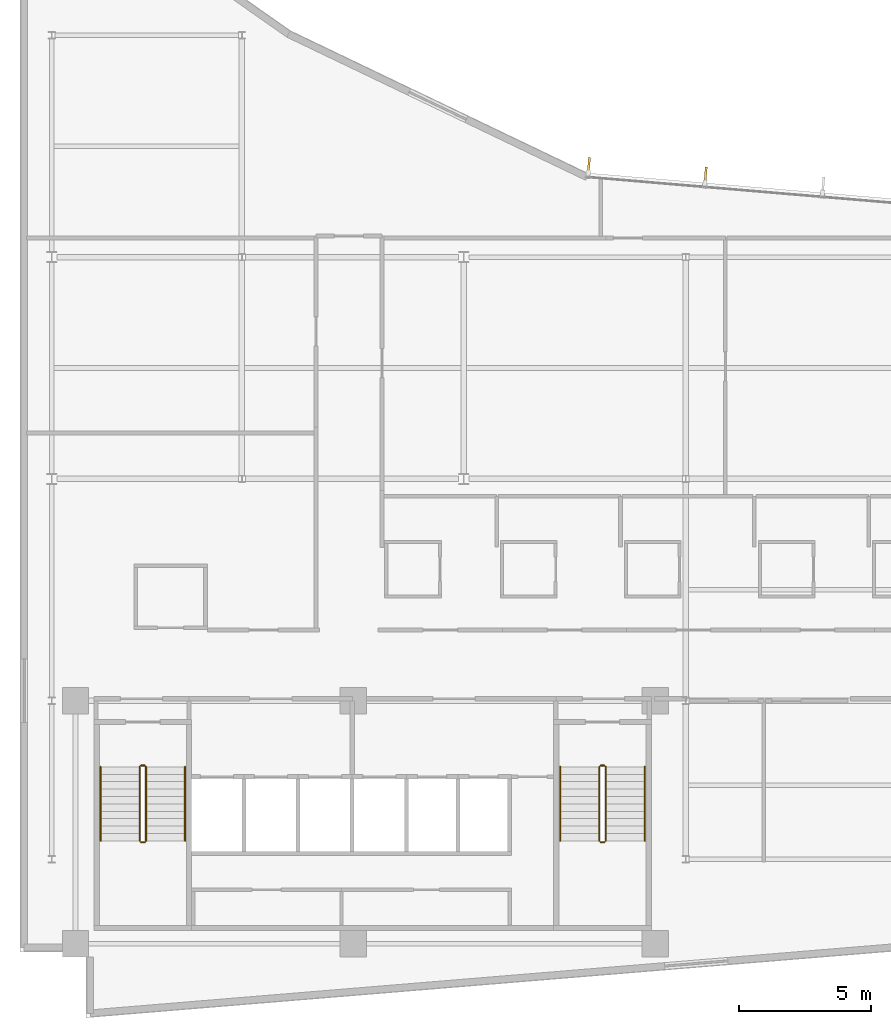
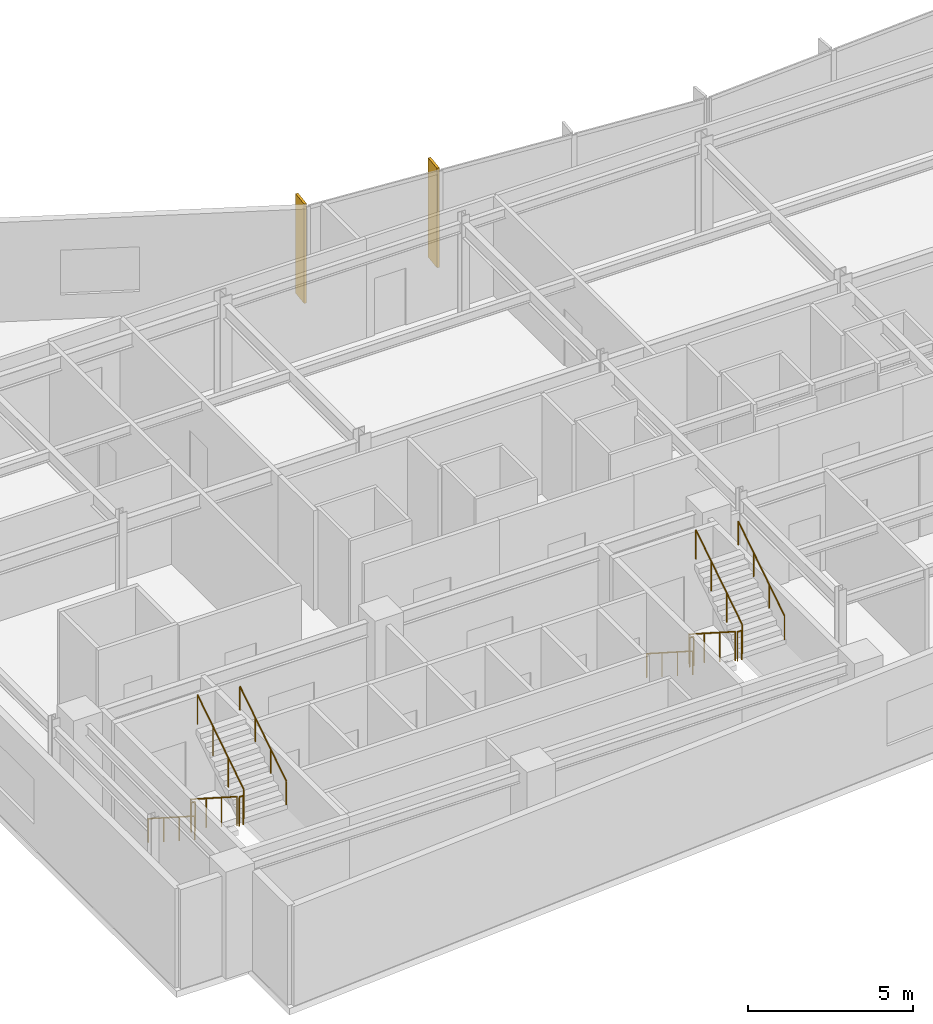
# One storey, part 13 of 15: 12 railings, 2 shading devices.
"""IFC4 building model written with IfcOpenShell, lengths in metres."""

from ifc_helpers import new_model, si_unit, direction, frame, origin, origin_2d, place, context, subcontext, project, spatial, rectangle, circle, extrude, material, layer, layer_set, type_object, element, save


model = new_model("IFC4")

# Units and contexts
model_context = context("Model", 3, precision=1e-05, world=origin(), true_north=direction((0.0, 1.0)))
body_context = subcontext(model_context, "Body", "Model", "MODEL_VIEW")
ifc_project = project(units=[si_unit("LENGTHUNIT", "METRE"), si_unit("AREAUNIT", "SQUARE_METRE"), si_unit("VOLUMEUNIT", "CUBIC_METRE"), si_unit("PLANEANGLEUNIT", "RADIAN"), si_unit("MASSUNIT", "GRAM", prefix="KILO")], contexts=[model_context])

# Site, building, storey
site_placement = place(None, origin())
site = spatial("IfcSite", under=ifc_project, at=site_placement, CompositionType="ELEMENT")
building_placement = place(site_placement, origin())
building = spatial("IfcBuilding", under=site, at=building_placement, Name="Varnakote Quay Hospital", CompositionType="ELEMENT")
storey_placement = place(building_placement, frame((0.0, 0.0, 231.60009765625)))
storey = spatial("IfcBuildingStorey", under=building, at=storey_placement, Name="L57", CompositionType="ELEMENT", Elevation=231.60009765625)

# Railings
ifc_material_1 = material(Name="Brushed stainless steel balustrade", Category="steel")
railing_type_1 = type_object("IfcRailingType", Name="RLG-STAIR-GUARD-1150", PredefinedType="GUARDRAIL", material=ifc_material_1)
railing_1_placement = place(storey_placement, frame((4.530029296875, 9.5, 0.179443359375)))
element("IfcRailing", 1, at=railing_1_placement, inside=storey, type_object=railing_type_1, Name="L57 ST-01 stair guard 1", PredefinedType="GUARDRAIL", context=body_context, shape_type="SweptSolid", body=[
    extrude(circle(Radius=0.02392578125, at=origin_2d()), frame((0.0, 0.0, 1.076171875), z_axis=(0.0, -0.841809871826, 0.539774156196), x_axis=(1.0, 0.0, 0.0)), (0.0, 0.0, 1.0), 3.326171875),
    extrude(circle(Radius=0.02099609375, at=origin_2d()), origin(), (0.0, 0.0, 1.0), 1.052001953125),
    extrude(circle(Radius=0.02099609375, at=origin_2d()), frame((0.0, -0.933349609375, 0.598388671875)), (0.0, 0.0, 1.0), 1.052001953125),
    extrude(circle(Radius=0.02099609375, at=origin_2d()), frame((0.0, -1.86669921875, 1.197021484375)), (0.0, 0.0, 1.0), 1.052001953125),
    extrude(circle(Radius=0.02099609375, at=origin_2d()), frame((0.0, -2.800048828125, 1.79541015625)), (0.0, 0.0, 1.0), 1.052001953125),
])
railing_2_placement = place(storey_placement, frame((4.580078125, 6.64990234375, 1.974853515625)))
element("IfcRailing", 2, at=railing_2_placement, inside=storey, type_object=railing_type_1, Name="L57 ST-01 stair guard 2", PredefinedType="GUARDRAIL", context=body_context, shape_type="SweptSolid", body=[
    extrude(circle(Radius=0.02392578125, at=origin_2d()), frame((0.0, 0.0, 1.076171875), z_axis=(1.0, 0.0, 0.0), x_axis=(0.0, 1.0, 0.0)), (0.0, 0.0, 1.0), 0.139892578125),
    extrude(circle(Radius=0.02099609375, at=origin_2d()), origin(), (0.0, 0.0, 1.0), 1.052001953125),
    extrude(circle(Radius=0.02099609375, at=origin_2d()), frame((0.139892578125, 0.0, 0.0)), (0.0, 0.0, 1.0), 1.052001953125),
])
railing_3_placement = place(storey_placement, frame((4.77001953125, 6.699951171875, 2.154541015625)))
element("IfcRailing", 3, at=railing_3_placement, inside=storey, type_object=railing_type_1, Name="L57 ST-01 stair guard 3", PredefinedType="GUARDRAIL", context=body_context, shape_type="SweptSolid", body=[
    extrude(circle(Radius=0.02392578125, at=origin_2d()), frame((0.0, 0.0, 1.076171875), z_axis=(0.0, 0.841809871826, 0.539774156196), x_axis=(-1.0, 0.0, 0.0)), (0.0, 0.0, 1.0), 3.326171875),
    extrude(circle(Radius=0.02099609375, at=origin_2d()), origin(), (0.0, 0.0, 1.0), 1.052001953125),
    extrude(circle(Radius=0.02099609375, at=origin_2d()), frame((0.0, 0.933349609375, 0.598388671875)), (0.0, 0.0, 1.0), 1.052001953125),
    extrude(circle(Radius=0.02099609375, at=origin_2d()), frame((0.0, 1.86669921875, 1.197021484375)), (0.0, 0.0, 1.0), 1.052001953125),
    extrude(circle(Radius=0.02099609375, at=origin_2d()), frame((0.0, 2.800048828125, 1.79541015625)), (0.0, 0.0, 1.0), 1.052001953125),
])
railing_4_placement = place(storey_placement, frame((4.580078125, 9.550048828125, 0.0)))
element("IfcRailing", 4, at=railing_4_placement, inside=storey, type_object=railing_type_1, Name="L57 ST-01 stair guard 4", PredefinedType="GUARDRAIL", context=body_context, shape_type="SweptSolid", body=[
    extrude(circle(Radius=0.02392578125, at=origin_2d()), frame((0.0, 0.0, 1.076171875), z_axis=(1.0, 0.0, 0.0), x_axis=(0.0, 1.0, 0.0)), (0.0, 0.0, 1.0), 0.139892578125),
    extrude(circle(Radius=0.02099609375, at=origin_2d()), origin(), (0.0, 0.0, 1.0), 1.052001953125),
    extrude(circle(Radius=0.02099609375, at=origin_2d()), frame((0.139892578125, 0.0, 0.0)), (0.0, 0.0, 1.0), 1.052001953125),
])
railing_5_placement = place(storey_placement, frame((21.929931640625, 9.5, 0.179443359375)))
element("IfcRailing", 5, at=railing_5_placement, inside=storey, type_object=railing_type_1, Name="L57 ST-02 stair guard 1", PredefinedType="GUARDRAIL", context=body_context, shape_type="SweptSolid", body=[
    extrude(circle(Radius=0.02392578125, at=origin_2d()), frame((0.0, 0.0, 1.076171875), z_axis=(0.0, -0.841809871826, 0.539774156196), x_axis=(1.0, 0.0, 0.0)), (0.0, 0.0, 1.0), 3.326171875),
    extrude(circle(Radius=0.02099609375, at=origin_2d()), origin(), (0.0, 0.0, 1.0), 1.052001953125),
    extrude(circle(Radius=0.02099609375, at=origin_2d()), frame((0.0, -0.933349609375, 0.598388671875)), (0.0, 0.0, 1.0), 1.052001953125),
    extrude(circle(Radius=0.02099609375, at=origin_2d()), frame((0.0, -1.86669921875, 1.197021484375)), (0.0, 0.0, 1.0), 1.052001953125),
    extrude(circle(Radius=0.02099609375, at=origin_2d()), frame((0.0, -2.800048828125, 1.79541015625)), (0.0, 0.0, 1.0), 1.052001953125),
])
railing_6_placement = place(storey_placement, frame((21.97998046875, 6.64990234375, 1.974853515625)))
element("IfcRailing", 6, at=railing_6_placement, inside=storey, type_object=railing_type_1, Name="L57 ST-02 stair guard 2", PredefinedType="GUARDRAIL", context=body_context, shape_type="SweptSolid", body=[
    extrude(circle(Radius=0.02392578125, at=origin_2d()), frame((0.0, 0.0, 1.076171875), z_axis=(1.0, 0.0, 0.0), x_axis=(0.0, 1.0, 0.0)), (0.0, 0.0, 1.0), 0.14013671875),
    extrude(circle(Radius=0.02099609375, at=origin_2d()), origin(), (0.0, 0.0, 1.0), 1.052001953125),
    extrude(circle(Radius=0.02099609375, at=origin_2d()), frame((0.14013671875, 0.0, 0.0)), (0.0, 0.0, 1.0), 1.052001953125),
])
railing_7_placement = place(storey_placement, frame((22.169921875, 6.699951171875, 2.154541015625)))
element("IfcRailing", 7, at=railing_7_placement, inside=storey, type_object=railing_type_1, Name="L57 ST-02 stair guard 3", PredefinedType="GUARDRAIL", context=body_context, shape_type="SweptSolid", body=[
    extrude(circle(Radius=0.02392578125, at=origin_2d()), frame((0.0, 0.0, 1.076171875), z_axis=(0.0, 0.841809871826, 0.539774156196), x_axis=(-1.0, 0.0, 0.0)), (0.0, 0.0, 1.0), 3.326171875),
    extrude(circle(Radius=0.02099609375, at=origin_2d()), origin(), (0.0, 0.0, 1.0), 1.052001953125),
    extrude(circle(Radius=0.02099609375, at=origin_2d()), frame((0.0, 0.933349609375, 0.598388671875)), (0.0, 0.0, 1.0), 1.052001953125),
    extrude(circle(Radius=0.02099609375, at=origin_2d()), frame((0.0, 1.86669921875, 1.197021484375)), (0.0, 0.0, 1.0), 1.052001953125),
    extrude(circle(Radius=0.02099609375, at=origin_2d()), frame((0.0, 2.800048828125, 1.79541015625)), (0.0, 0.0, 1.0), 1.052001953125),
])
railing_8_placement = place(storey_placement, frame((21.97998046875, 9.550048828125, 0.0)))
element("IfcRailing", 8, at=railing_8_placement, inside=storey, type_object=railing_type_1, Name="L57 ST-02 stair guard 4", PredefinedType="GUARDRAIL", context=body_context, shape_type="SweptSolid", body=[
    extrude(circle(Radius=0.02392578125, at=origin_2d()), frame((0.0, 0.0, 1.076171875), z_axis=(1.0, 0.0, 0.0), x_axis=(0.0, 1.0, 0.0)), (0.0, 0.0, 1.0), 0.14013671875),
    extrude(circle(Radius=0.02099609375, at=origin_2d()), origin(), (0.0, 0.0, 1.0), 1.052001953125),
    extrude(circle(Radius=0.02099609375, at=origin_2d()), frame((0.14013671875, 0.0, 0.0)), (0.0, 0.0, 1.0), 1.052001953125),
])
ifc_material_2 = material(Name="Brushed stainless steel handrail", Category="steel")
railing_type_2 = type_object("IfcRailingType", Name="RLG-STAIR-HND-920", PredefinedType="HANDRAIL", material=ifc_material_2)
railing_9_placement = place(storey_placement, frame((3.050048828125, 9.5, 0.179443359375)))
element("IfcRailing", 9, at=railing_9_placement, inside=storey, type_object=railing_type_2, Name="L57 ST-01 stair handrail 1", PredefinedType="HANDRAIL", context=body_context, shape_type="SweptSolid", body=[
    extrude(circle(Radius=0.02392578125, at=origin_2d()), frame((0.0, 0.0, 0.8759765625), z_axis=(0.0, -0.841809871826, 0.539774156196), x_axis=(1.0, 0.0, 0.0)), (0.0, 0.0, 1.0), 3.326171875),
    extrude(circle(Radius=0.02099609375, at=origin_2d()), origin(), (0.0, 0.0, 1.0), 0.851806640625),
    extrude(circle(Radius=0.02099609375, at=origin_2d()), frame((0.0, -0.933349609375, 0.598388671875)), (0.0, 0.0, 1.0), 0.851806640625),
    extrude(circle(Radius=0.02099609375, at=origin_2d()), frame((0.0, -1.86669921875, 1.197021484375)), (0.0, 0.0, 1.0), 0.851806640625),
    extrude(circle(Radius=0.02099609375, at=origin_2d()), frame((0.0, -2.800048828125, 1.79541015625)), (0.0, 0.0, 1.0), 0.851806640625),
])
railing_10_placement = place(storey_placement, frame((6.25, 6.699951171875, 2.154541015625)))
element("IfcRailing", 10, at=railing_10_placement, inside=storey, type_object=railing_type_2, Name="L57 ST-01 stair handrail 2", PredefinedType="HANDRAIL", context=body_context, shape_type="SweptSolid", body=[
    extrude(circle(Radius=0.02392578125, at=origin_2d()), frame((0.0, 0.0, 0.8759765625), z_axis=(0.0, 0.841809871826, 0.539774156196), x_axis=(-1.0, 0.0, 0.0)), (0.0, 0.0, 1.0), 3.326171875),
    extrude(circle(Radius=0.02099609375, at=origin_2d()), origin(), (0.0, 0.0, 1.0), 0.851806640625),
    extrude(circle(Radius=0.02099609375, at=origin_2d()), frame((0.0, 0.933349609375, 0.598388671875)), (0.0, 0.0, 1.0), 0.851806640625),
    extrude(circle(Radius=0.02099609375, at=origin_2d()), frame((0.0, 1.86669921875, 1.197021484375)), (0.0, 0.0, 1.0), 0.851806640625),
    extrude(circle(Radius=0.02099609375, at=origin_2d()), frame((0.0, 2.800048828125, 1.79541015625)), (0.0, 0.0, 1.0), 0.851806640625),
])
railing_11_placement = place(storey_placement, frame((20.449951171875, 9.5, 0.179443359375)))
element("IfcRailing", 11, at=railing_11_placement, inside=storey, type_object=railing_type_2, Name="L57 ST-02 stair handrail 1", PredefinedType="HANDRAIL", context=body_context, shape_type="SweptSolid", body=[
    extrude(circle(Radius=0.02392578125, at=origin_2d()), frame((0.0, 0.0, 0.8759765625), z_axis=(0.0, -0.841809871826, 0.539774156196), x_axis=(1.0, 0.0, 0.0)), (0.0, 0.0, 1.0), 3.326171875),
    extrude(circle(Radius=0.02099609375, at=origin_2d()), origin(), (0.0, 0.0, 1.0), 0.851806640625),
    extrude(circle(Radius=0.02099609375, at=origin_2d()), frame((0.0, -0.933349609375, 0.598388671875)), (0.0, 0.0, 1.0), 0.851806640625),
    extrude(circle(Radius=0.02099609375, at=origin_2d()), frame((0.0, -1.86669921875, 1.197021484375)), (0.0, 0.0, 1.0), 0.851806640625),
    extrude(circle(Radius=0.02099609375, at=origin_2d()), frame((0.0, -2.800048828125, 1.79541015625)), (0.0, 0.0, 1.0), 0.851806640625),
])
railing_12_placement = place(storey_placement, frame((23.64990234375, 6.699951171875, 2.154541015625)))
element("IfcRailing", 12, at=railing_12_placement, inside=storey, type_object=railing_type_2, Name="L57 ST-02 stair handrail 2", PredefinedType="HANDRAIL", context=body_context, shape_type="SweptSolid", body=[
    extrude(circle(Radius=0.02392578125, at=origin_2d()), frame((0.0, 0.0, 0.8759765625), z_axis=(0.0, 0.841809871826, 0.539774156196), x_axis=(-1.0, 0.0, 0.0)), (0.0, 0.0, 1.0), 3.326171875),
    extrude(circle(Radius=0.02099609375, at=origin_2d()), origin(), (0.0, 0.0, 1.0), 0.851806640625),
    extrude(circle(Radius=0.02099609375, at=origin_2d()), frame((0.0, 0.933349609375, 0.598388671875)), (0.0, 0.0, 1.0), 0.851806640625),
    extrude(circle(Radius=0.02099609375, at=origin_2d()), frame((0.0, 1.86669921875, 1.197021484375)), (0.0, 0.0, 1.0), 0.851806640625),
    extrude(circle(Radius=0.02099609375, at=origin_2d()), frame((0.0, 2.800048828125, 1.79541015625)), (0.0, 0.0, 1.0), 0.851806640625),
])

# Shading devices
ifc_material_3 = material(Name="Anodised aluminium 6063-T6 Bronze", Category="aluminium")
ifc_layer = layer(ifc_material_3, 0.0849609375)
ifc_layer_set = layer_set([ifc_layer], Name="Anodised aluminium 6063-T6 Bronze")
shading_device_type = type_object("IfcShadingDeviceType", Name="SHD-BRONZE-FIN-620", PredefinedType="USERDEFINED", material=ifc_layer_set)
for number, where, z_axis, x_axis, name in (
    (13, (25.9501953125, 31.8955078125, 0.0), (0.0, 0.0, 1.0), (-0.084199594279, -0.996448909038, 0.0), "L57 Anodised Bronze Vertical Shading FIN"),
    (14, (21.531494140625, 32.268798828125, 0.0), (0.0, 0.0, 1.0), (-0.084199594279, -0.996448909038, 0.0), "L57 Anodised Bronze Vertical Shading FIN"),
):
    element("IfcShadingDevice", number, at=place(storey_placement, frame(where, z_axis=z_axis, x_axis=x_axis)), inside=storey, type_object=shading_device_type, Name=name, ObjectType="FIN", PredefinedType="USERDEFINED", context=body_context, shape_type="SweptSolid", body=[
        extrude(rectangle(XDim=0.6201171875, YDim=0.0849609375, at=origin_2d()), origin(), (0.0, 0.0, 1.0), 3.669921875),
    ])

save(model, "model.ifc")
